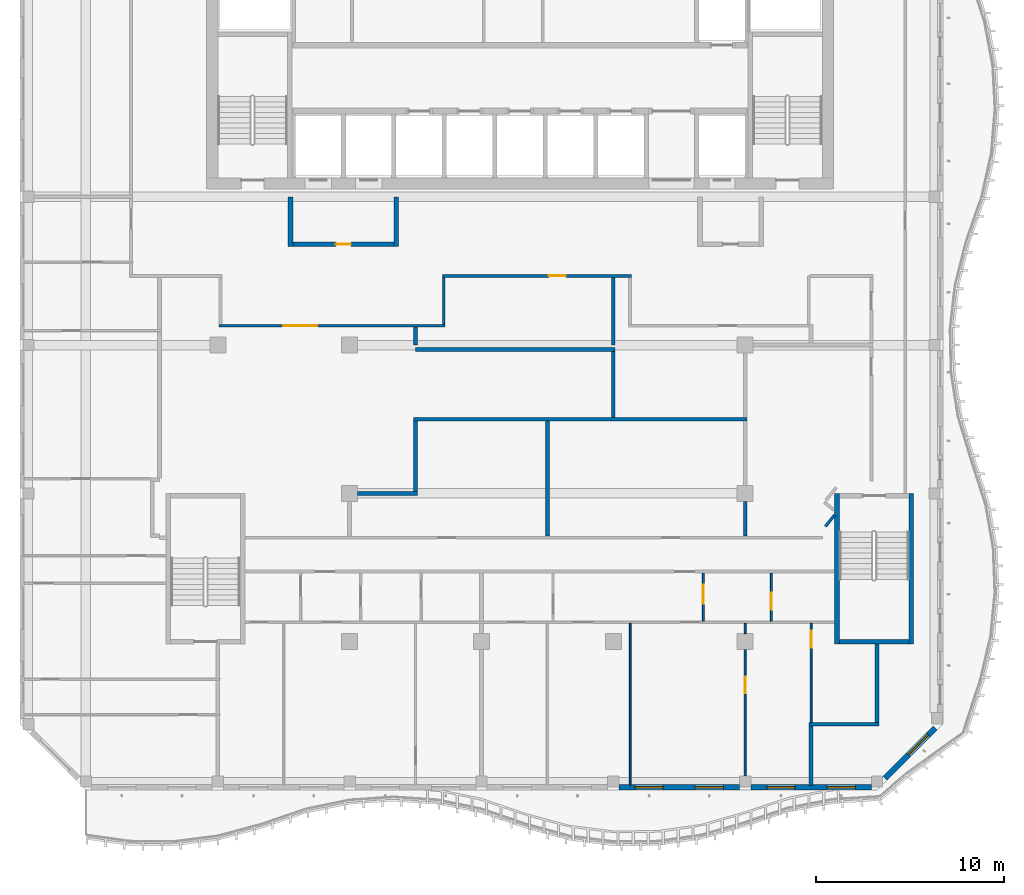
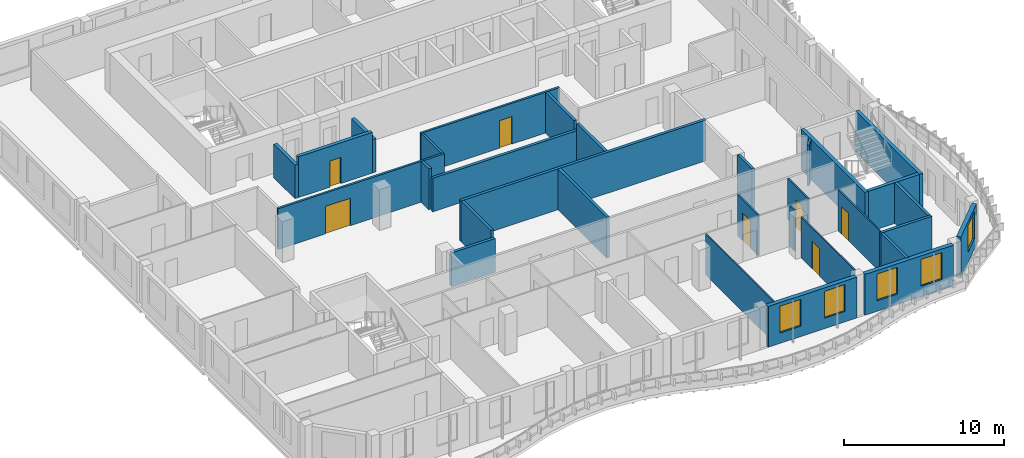
# One storey, part 4 of 17: 31 walls, 7 doors, 5 windows, 12 openings.
"""IFC4 building model written with IfcOpenShell, lengths in metres."""

from ifc_helpers import new_model, si_unit, direction, frame, frame_2d, origin, place, context, subcontext, project, spatial, rectangle, extrude, source, transform, mapped, material, layer, layer_set, type_object, element, fill, save


model = new_model("IFC4")

# Units and contexts
model_context = context("Model", 3, precision=1e-05, world=origin(), true_north=direction((0.0, 1.0)))
body_context = subcontext(model_context, "Body", "Model", "MODEL_VIEW")
ifc_project = project(units=[si_unit("LENGTHUNIT", "METRE"), si_unit("AREAUNIT", "SQUARE_METRE"), si_unit("VOLUMEUNIT", "CUBIC_METRE"), si_unit("PLANEANGLEUNIT", "RADIAN"), si_unit("MASSUNIT", "GRAM", prefix="KILO")], contexts=[model_context])

# Site, building, storey
site_placement = place(None, origin())
site = spatial("IfcSite", under=ifc_project, at=site_placement, CompositionType="ELEMENT")
building_placement = place(site_placement, origin())
building = spatial("IfcBuilding", under=site, at=building_placement, Name="Kilnfold Tower and Market Hall", CompositionType="ELEMENT")
storey_placement = place(building_placement, frame((0.0, 0.0, 298.39990234375)))
storey = spatial("IfcBuildingStorey", under=building, at=storey_placement, Name="L74", CompositionType="ELEMENT", Elevation=298.39990234375)

# Wall, opening, door
ifc_material_1 = material(Name="Gypsum board on steel studs", Category="steel")
ifc_layer_1 = layer(ifc_material_1, 0.14990234375)
ifc_layer_set_1 = layer_set([ifc_layer_1], Name="Gypsum board on steel studs")
wall_type_1 = type_object("IfcWallType", Name="WALL CORRIDOR 150", PredefinedType="PARTITIONING", material=ifc_layer_set_1)
wall_1_placement = place(storey_placement, frame((-14.93505859375, 1.14990234375, 0.0), z_axis=(0.0, 0.0, 1.0), x_axis=(1.0, 0.0, 0.0)))
wall_1 = element("IfcWall", 1, at=wall_1_placement, inside=storey, type_object=wall_type_1, Name="Partition LY45.9", PredefinedType="PARTITIONING", context=body_context, shape_type="SweptSolid", body=[
    extrude(rectangle(XDim=12.010009765625, YDim=0.14990234375, at=frame_2d((6.0048828125, 0.0))), origin(), (0.0, 0.0, 1.0), 3.1201171875),
])
opening_1_placement = place(wall_1_placement, frame((3.41796875, 0.0, 0.0)))
opening_1 = element("IfcOpeningElement", 2, at=opening_1_placement, cuts=wall_1, Name="Opening D5", PredefinedType="OPENING", context=body_context, shape_type="SweptSolid", body=[
    extrude(rectangle(XDim=1.800048828125, YDim=2.10009765625, at=frame_2d((0.89990234375, 1.050048828125))), frame((0.0, 0.0849609375, 0.0), z_axis=(0.0, -1.0, 0.0), x_axis=(1.0, 0.0, 0.0)), (0.0, 0.0, 1.0), 0.169921875),
])
ifc_material_2 = material(Name="Timber veneer door leaf in steel frame", Category="steel")
door_type_1 = type_object("IfcDoorType", Name="DOOR DOUBLE 1800 X2100", OperationType="NOTDEFINED", PredefinedType="DOOR", material=ifc_material_2)
door_1_placement = place(opening_1_placement, origin())
door_1 = element("IfcDoor", 3, at=door_1_placement, inside=storey, type_object=door_type_1, Name="Door D5", OperationType="DOUBLE_DOOR_SINGLE_SWING", OverallHeight=2.10009765625, OverallWidth=1.800048828125, PredefinedType="DOOR", context=body_context, shape_type="SweptSolid", body=[
    extrude(rectangle(XDim=1.800048828125, YDim=2.10009765625, at=frame_2d((0.89990234375, 1.050048828125))), frame((0.0, 0.02490234375, 0.0), z_axis=(0.0, -1.0, 0.0), x_axis=(1.0, 0.0, 0.0)), (0.0, 0.0, 1.0), 0.050048828125),
])
fill(opening_1, door_1)

wall_2_placement = place(storey_placement, frame((-3.074951171875, 3.800048828125, 0.0), z_axis=(0.0, 0.0, 1.0), x_axis=(1.0, 0.0, 0.0)))
wall_2 = element("IfcWall", 4, at=wall_2_placement, inside=storey, type_object=wall_type_1, Name="Partition LY45.12", PredefinedType="PARTITIONING", context=body_context, shape_type="SweptSolid", body=[
    extrude(rectangle(XDim=10.030029296875, YDim=0.14990234375, at=frame_2d((5.01513671875, 0.0))), origin(), (0.0, 0.0, 1.0), 3.1201171875),
])
opening_2_placement = place(wall_2_placement, frame((5.659912109375, 0.0, 0.0)))
opening_2 = element("IfcOpeningElement", 5, at=opening_2_placement, cuts=wall_2, Name="Opening D2", PredefinedType="OPENING", context=body_context, shape_type="SweptSolid", body=[
    extrude(rectangle(XDim=0.89990234375, YDim=2.10009765625, at=frame_2d((0.449951171875, 1.050048828125))), frame((0.0, 0.0849609375, 0.0), z_axis=(0.0, -1.0, 0.0), x_axis=(1.0, 0.0, 0.0)), (0.0, 0.0, 1.0), 0.169921875),
])
ifc_material_3 = material(Name="Timber veneer door leaf in steel frame", Category="steel")
door_type_2 = type_object("IfcDoorType", Name="DOOR ROOM 900 X2100", OperationType="NOTDEFINED", PredefinedType="DOOR", material=ifc_material_3)
door_2_placement = place(opening_2_placement, origin())
door_2 = element("IfcDoor", 6, at=door_2_placement, inside=storey, type_object=door_type_2, Name="Door D2", OperationType="SINGLE_SWING_LEFT", OverallHeight=2.10009765625, OverallWidth=0.89990234375, PredefinedType="DOOR", context=body_context, shape_type="SweptSolid", body=[
    extrude(rectangle(XDim=0.89990234375, YDim=2.10009765625, at=frame_2d((0.449951171875, 1.050048828125))), frame((0.0, 0.02490234375, 0.0), z_axis=(0.0, -1.0, 0.0), x_axis=(1.0, 0.0, 0.0)), (0.0, 0.0, 1.0), 0.050048828125),
])
fill(opening_2, door_2)

# Walls
wall_3_placement = place(storey_placement, frame((-3.0, 1.22509765625, 0.0), z_axis=(0.0, 0.0, 1.0), x_axis=(0.0, 1.0, 0.0)))
element("IfcWall", 7, at=wall_3_placement, inside=storey, type_object=wall_type_1, Name="Partition LY45.13", PredefinedType="PARTITIONING", context=body_context, shape_type="SweptSolid", body=[
    extrude(rectangle(XDim=2.5, YDim=0.14990234375, at=frame_2d((1.25, 0.0))), origin(), (0.0, 0.0, 1.0), 3.1201171875),
])
wall_4_placement = place(storey_placement, frame((17.748046875, -8.902099609375, 0.0), z_axis=(0.0, 0.0, 1.0), x_axis=(-0.630342797145, -0.776316918589, 0.0)))
element("IfcWall", 8, at=wall_4_placement, inside=storey, type_object=wall_type_1, Name="Partition LY45.17", PredefinedType="PARTITIONING", context=body_context, shape_type="SweptSolid", body=[
    extrude(rectangle(XDim=0.772705078125, YDim=0.14990234375, at=frame_2d((0.38623046875, 0.0))), origin(), (0.0, 0.0, 1.0), 3.1201171875),
])

# Wall, opening, door
ifc_material_4 = material(Name="Gypsum board on steel studs", Category="steel")
ifc_layer_2 = layer(ifc_material_4, 0.10009765625)
ifc_layer_set_2 = layer_set([ifc_layer_2], Name="Gypsum board on steel studs")
wall_type_2 = type_object("IfcWallType", Name="WALL PARTITION 100", PredefinedType="PARTITIONING", material=ifc_layer_set_2)
wall_5_placement = place(storey_placement, frame((10.780029296875, -14.550048828125, 0.0), z_axis=(0.0, 0.0, 1.0), x_axis=(0.0, 1.0, 0.0)))
wall_5 = element("IfcWall", 9, at=wall_5_placement, inside=storey, type_object=wall_type_2, Name="Partition LY45.50", PredefinedType="PARTITIONING", context=body_context, shape_type="SweptSolid", body=[
    extrude(rectangle(XDim=2.572998046875, YDim=0.10009765625, at=frame_2d((1.28662109375, 0.0))), origin(), (0.0, 0.0, 1.0), 3.1201171875),
])
opening_3_placement = place(wall_5_placement, frame((0.946044921875, 0.0, 0.0)))
opening_3 = element("IfcOpeningElement", 10, at=opening_3_placement, cuts=wall_5, Name="Opening D1", PredefinedType="OPENING", context=body_context, shape_type="SweptSolid", body=[
    extrude(rectangle(XDim=1.0, YDim=2.10009765625, at=frame_2d((0.5, 1.050048828125))), frame((0.0, 0.06005859375, 0.0), z_axis=(0.0, -1.0, 0.0), x_axis=(1.0, 0.0, 0.0)), (0.0, 0.0, 1.0), 0.1201171875),
])
ifc_material_5 = material(Name="Timber veneer door leaf in steel frame", Category="steel")
door_type_3 = type_object("IfcDoorType", Name="DOOR ENTRY 1000 X2100", OperationType="NOTDEFINED", PredefinedType="DOOR", material=ifc_material_5)
door_3_placement = place(opening_3_placement, origin())
door_3 = element("IfcDoor", 11, at=door_3_placement, inside=storey, type_object=door_type_3, Name="Door D1", OperationType="SINGLE_SWING_RIGHT", OverallHeight=2.10009765625, OverallWidth=1.0, PredefinedType="DOOR", context=body_context, shape_type="SweptSolid", body=[
    extrude(rectangle(XDim=1.0, YDim=2.10009765625, at=frame_2d((0.5, 1.050048828125))), frame((0.0, 0.02490234375, 0.0), z_axis=(0.0, -1.0, 0.0), x_axis=(1.0, 0.0, 0.0)), (0.0, 0.0, 1.0), 0.050048828125),
])
fill(opening_3, door_3)

wall_6_placement = place(storey_placement, frame((14.389892578125, -14.550048828125, 0.0), z_axis=(0.0, 0.0, 1.0), x_axis=(0.0, 1.0, 0.0)))
wall_6 = element("IfcWall", 12, at=wall_6_placement, inside=storey, type_object=wall_type_2, Name="Partition LY45.51", PredefinedType="PARTITIONING", context=body_context, shape_type="SweptSolid", body=[
    extrude(rectangle(XDim=2.572998046875, YDim=0.10009765625, at=frame_2d((1.28662109375, 0.0))), origin(), (0.0, 0.0, 1.0), 3.1201171875),
])
opening_4_placement = place(wall_6_placement, frame((0.6240234375, 0.0, 0.0)))
opening_4 = element("IfcOpeningElement", 13, at=opening_4_placement, cuts=wall_6, Name="Opening D2", PredefinedType="OPENING", context=body_context, shape_type="SweptSolid", body=[
    extrude(rectangle(XDim=0.89990234375, YDim=2.10009765625, at=frame_2d((0.449951171875, 1.050048828125))), frame((0.0, 0.06005859375, 0.0), z_axis=(0.0, -1.0, 0.0), x_axis=(1.0, 0.0, 0.0)), (0.0, 0.0, 1.0), 0.1201171875),
])
door_4_placement = place(opening_4_placement, origin())
door_4 = element("IfcDoor", 14, at=door_4_placement, inside=storey, type_object=door_type_2, Name="Door D2", OperationType="SINGLE_SWING_LEFT", OverallHeight=2.10009765625, OverallWidth=0.89990234375, PredefinedType="DOOR", context=body_context, shape_type="SweptSolid", body=[
    extrude(rectangle(XDim=0.89990234375, YDim=2.10009765625, at=frame_2d((0.449951171875, 1.050048828125))), frame((0.0, 0.02490234375, 0.0), z_axis=(0.0, -1.0, 0.0), x_axis=(1.0, 0.0, 0.0)), (0.0, 0.0, 1.0), 0.050048828125),
])
fill(opening_4, door_4)

# Walls
wall_7_placement = place(storey_placement, frame((6.89990234375, -23.25, 0.0), z_axis=(0.0, 0.0, 1.0), x_axis=(0.0, 1.0, 0.0)))
element("IfcWall", 15, at=wall_7_placement, inside=storey, type_object=wall_type_2, Name="Partition LY45.53", PredefinedType="PARTITIONING", context=body_context, shape_type="SweptSolid", body=[
    extrude(rectangle(XDim=8.597900390625, YDim=0.10009765625, at=frame_2d((4.298828125, 0.0))), origin(), (0.0, 0.0, 1.0), 3.1201171875),
])
wall_8_placement = place(storey_placement, frame((13.0, -15.199951171875, 0.0), z_axis=(0.0, 0.0, 1.0), x_axis=(0.0, 1.0, 0.0)))
element("IfcWall", 16, at=wall_8_placement, inside=storey, type_object=wall_type_2, Name="Partition LY45.54", PredefinedType="PARTITIONING", context=body_context, shape_type="SweptSolid", body=[
    extrude(rectangle(XDim=0.5478515625, YDim=0.10009765625, at=frame_2d((0.27392578125, 0.0))), origin(), (0.0, 0.0, 1.0), 3.1201171875),
])

# Wall, opening, door
wall_9_placement = place(storey_placement, frame((13.0, -22.75, 0.0), z_axis=(0.0, 0.0, 1.0), x_axis=(0.0, 1.0, 0.0)))
wall_9 = element("IfcWall", 17, at=wall_9_placement, inside=storey, type_object=wall_type_2, Name="Partition LY45.55", PredefinedType="PARTITIONING", context=body_context, shape_type="SweptSolid", body=[
    extrude(rectangle(XDim=6.699951171875, YDim=0.10009765625, at=frame_2d((3.35009765625, 0.0))), origin(), (0.0, 0.0, 1.0), 3.1201171875),
])
opening_5_placement = place(wall_9_placement, frame((4.376953125, 0.0, 0.0)))
opening_5 = element("IfcOpeningElement", 18, at=opening_5_placement, cuts=wall_9, Name="Opening D2", PredefinedType="OPENING", context=body_context, shape_type="SweptSolid", body=[
    extrude(rectangle(XDim=0.89990234375, YDim=2.10009765625, at=frame_2d((0.449951171875, 1.050048828125))), frame((0.0, 0.06005859375, 0.0), z_axis=(0.0, -1.0, 0.0), x_axis=(1.0, 0.0, 0.0)), (0.0, 0.0, 1.0), 0.1201171875),
])
door_5_placement = place(opening_5_placement, origin())
door_5 = element("IfcDoor", 19, at=door_5_placement, inside=storey, type_object=door_type_2, Name="Door D2", OperationType="SINGLE_SWING_RIGHT", OverallHeight=2.10009765625, OverallWidth=0.89990234375, PredefinedType="DOOR", context=body_context, shape_type="SweptSolid", body=[
    extrude(rectangle(XDim=0.89990234375, YDim=2.10009765625, at=frame_2d((0.449951171875, 1.050048828125))), frame((0.0, 0.02490234375, 0.0), z_axis=(0.0, -1.0, 0.0), x_axis=(1.0, 0.0, 0.0)), (0.0, 0.0, 1.0), 0.050048828125),
])
fill(opening_5, door_5)

wall_10_placement = place(storey_placement, frame((16.5, -19.909912109375, 0.0), z_axis=(0.0, 0.0, 1.0), x_axis=(0.0, 1.0, 0.0)))
wall_10 = element("IfcWall", 20, at=wall_10_placement, inside=storey, type_object=wall_type_2, Name="Partition LY45.56", PredefinedType="PARTITIONING", context=body_context, shape_type="SweptSolid", body=[
    extrude(rectangle(XDim=5.2578125, YDim=0.10009765625, at=frame_2d((2.62890625, 0.0))), origin(), (0.0, 0.0, 1.0), 3.1201171875),
])
opening_6_placement = place(wall_10_placement, frame((3.955078125, 0.0, 0.0)))
opening_6 = element("IfcOpeningElement", 21, at=opening_6_placement, cuts=wall_10, Name="Opening D2", PredefinedType="OPENING", context=body_context, shape_type="SweptSolid", body=[
    extrude(rectangle(XDim=0.89990234375, YDim=2.10009765625, at=frame_2d((0.449951171875, 1.050048828125))), frame((0.0, 0.06005859375, 0.0), z_axis=(0.0, -1.0, 0.0), x_axis=(1.0, 0.0, 0.0)), (0.0, 0.0, 1.0), 0.1201171875),
])
door_6_placement = place(opening_6_placement, origin())
door_6 = element("IfcDoor", 22, at=door_6_placement, inside=storey, type_object=door_type_2, Name="Door D2", OperationType="SINGLE_SWING_RIGHT", OverallHeight=2.10009765625, OverallWidth=0.89990234375, PredefinedType="DOOR", context=body_context, shape_type="SweptSolid", body=[
    extrude(rectangle(XDim=0.89990234375, YDim=2.10009765625, at=frame_2d((0.449951171875, 1.050048828125))), frame((0.0, 0.02490234375, 0.0), z_axis=(0.0, -1.0, 0.0), x_axis=(1.0, 0.0, 0.0)), (0.0, 0.0, 1.0), 0.050048828125),
])
fill(opening_6, door_6)

# Walls
ifc_material_6 = material(Name="Gypsum board on steel studs", Category="steel")
ifc_layer_3 = layer(ifc_material_6, 0.199951171875)
ifc_layer_set_3 = layer_set([ifc_layer_3], Name="Gypsum board on steel studs")
wall_type_3 = type_object("IfcWallType", Name="WALL PARTY 200", PredefinedType="PARTITIONING", material=ifc_layer_set_3)
wall_11_placement = place(storey_placement, frame((16.5, -23.25, 0.0), z_axis=(0.0, 0.0, 1.0), x_axis=(0.0, 1.0, 0.0)))
element("IfcWall", 23, at=wall_11_placement, inside=storey, type_object=wall_type_3, Name="Partition LY45.57", PredefinedType="PARTITIONING", context=body_context, shape_type="SweptSolid", body=[
    extrude(rectangle(XDim=3.159912109375, YDim=0.199951171875, at=frame_2d((1.580078125, 0.0))), origin(), (0.0, 0.0, 1.0), 3.1201171875),
])
wall_12_placement = place(storey_placement, frame((20.0, -19.89990234375, 0.0), z_axis=(0.0, 0.0, 1.0), x_axis=(0.0, 1.0, 0.0)))
element("IfcWall", 24, at=wall_12_placement, inside=storey, type_object=wall_type_3, Name="Partition LY45.58", PredefinedType="PARTITIONING", context=body_context, shape_type="SweptSolid", body=[
    extrude(rectangle(XDim=4.14990234375, YDim=0.199951171875, at=frame_2d((2.074951171875, 0.0))), origin(), (0.0, 0.0, 1.0), 3.1201171875),
])
wall_13_placement = place(storey_placement, frame((16.39990234375, -20.0, 0.0), z_axis=(0.0, 0.0, 1.0), x_axis=(1.0, 0.0, 0.0)))
element("IfcWall", 25, at=wall_13_placement, inside=storey, type_object=wall_type_3, Name="Partition LY45.59", PredefinedType="PARTITIONING", context=body_context, shape_type="SweptSolid", body=[
    extrude(rectangle(XDim=3.7001953125, YDim=0.199951171875, at=frame_2d((1.85009765625, 0.0))), origin(), (0.0, 0.0, 1.0), 3.1201171875),
])
wall_14_placement = place(storey_placement, frame((-4.60009765625, -3.81201171875, 0.0), z_axis=(0.0, 0.0, 1.0), x_axis=(1.0, 0.0, 0.0)))
element("IfcWall", 26, at=wall_14_placement, inside=storey, type_object=wall_type_3, Name="Partition LY45.62", PredefinedType="PARTITIONING", context=body_context, shape_type="SweptSolid", body=[
    extrude(rectangle(XDim=17.7001953125, YDim=0.199951171875, at=frame_2d((8.85009765625, 0.0))), origin(), (0.0, 0.0, 1.0), 3.1201171875),
])
wall_15_placement = place(storey_placement, frame((-4.5, -7.64990234375, 0.0), z_axis=(0.0, 0.0, 1.0), x_axis=(0.0, 1.0, 0.0)))
element("IfcWall", 27, at=wall_15_placement, inside=storey, type_object=wall_type_3, Name="Partition LY45.63", PredefinedType="PARTITIONING", context=body_context, shape_type="SweptSolid", body=[
    extrude(rectangle(XDim=3.73779296875, YDim=0.199951171875, at=frame_2d((1.868896484375, 0.0))), origin(), (0.0, 0.0, 1.0), 3.1201171875),
])
wall_16_placement = place(storey_placement, frame((-7.574951171875, -7.75, 0.0), z_axis=(0.0, 0.0, 1.0), x_axis=(1.0, 0.0, 0.0)))
element("IfcWall", 28, at=wall_16_placement, inside=storey, type_object=wall_type_3, Name="Partition LY45.64", PredefinedType="PARTITIONING", context=body_context, shape_type="SweptSolid", body=[
    extrude(rectangle(XDim=3.175048828125, YDim=0.199951171875, at=frame_2d((1.58740234375, 0.0))), origin(), (0.0, 0.0, 1.0), 2.570068359375),
])
wall_17_placement = place(storey_placement, frame((-4.5, 0.126953125, 0.0), z_axis=(0.0, 0.0, 1.0), x_axis=(0.0, 1.0, 0.0)))
element("IfcWall", 29, at=wall_17_placement, inside=storey, type_object=wall_type_3, Name="Partition LY45.66", PredefinedType="PARTITIONING", context=body_context, shape_type="SweptSolid", body=[
    extrude(rectangle(XDim=0.946044921875, YDim=0.199951171875, at=frame_2d((0.47314453125, 0.0))), origin(), (0.0, 0.0, 1.0), 3.1201171875),
])
wall_18_placement = place(storey_placement, frame((6.10009765625, -0.10888671875, 0.0), z_axis=(0.0, 0.0, 1.0), x_axis=(-1.0, 0.0, 0.0)))
element("IfcWall", 30, at=wall_18_placement, inside=storey, type_object=wall_type_3, Name="Partition LY45.67", PredefinedType="PARTITIONING", context=body_context, shape_type="SweptSolid", body=[
    extrude(rectangle(XDim=10.60205078125, YDim=0.199951171875, at=frame_2d((5.301025390625, 0.0))), origin(), (0.0, 0.0, 1.0), 2.570068359375),
])
wall_19_placement = place(storey_placement, frame((6.0, -3.7119140625, 0.0), z_axis=(0.0, 0.0, 1.0), x_axis=(0.0, 1.0, 0.0)))
element("IfcWall", 31, at=wall_19_placement, inside=storey, type_object=wall_type_3, Name="Partition LY45.68", PredefinedType="PARTITIONING", context=body_context, shape_type="SweptSolid", body=[
    extrude(rectangle(XDim=3.5029296875, YDim=0.199951171875, at=frame_2d((1.75146484375, 0.0))), origin(), (0.0, 0.0, 1.0), 3.1201171875),
])
wall_20_placement = place(storey_placement, frame((2.5, -10.02294921875, 0.0), z_axis=(0.0, 0.0, 1.0), x_axis=(0.0, 1.0, 0.0)))
element("IfcWall", 32, at=wall_20_placement, inside=storey, type_object=wall_type_3, Name="Partition LY45.69", PredefinedType="PARTITIONING", context=body_context, shape_type="SweptSolid", body=[
    extrude(rectangle(XDim=6.11083984375, YDim=0.199951171875, at=frame_2d((3.055419921875, 0.0))), origin(), (0.0, 0.0, 1.0), 3.1201171875),
])
wall_21_placement = place(storey_placement, frame((6.0, 0.135986328125, 0.0), z_axis=(0.0, 0.0, 1.0), x_axis=(0.0, 1.0, 0.0)))
element("IfcWall", 33, at=wall_21_placement, inside=storey, type_object=wall_type_3, Name="Partition LY45.70", PredefinedType="PARTITIONING", context=body_context, shape_type="SweptSolid", body=[
    extrude(rectangle(XDim=3.5869140625, YDim=0.199951171875, at=frame_2d((1.79345703125, 0.0))), origin(), (0.0, 0.0, 1.0), 3.1201171875),
])
wall_22_placement = place(storey_placement, frame((13.0, -10.02294921875, 0.0), z_axis=(0.0, 0.0, 1.0), x_axis=(0.0, 1.0, 0.0)))
element("IfcWall", 34, at=wall_22_placement, inside=storey, type_object=wall_type_3, Name="Partition LY45.72", PredefinedType="PARTITIONING", context=body_context, shape_type="SweptSolid", body=[
    extrude(rectangle(XDim=1.847900390625, YDim=0.199951171875, at=frame_2d((0.923828125, 0.0))), origin(), (0.0, 0.0, 1.0), 3.1201171875),
])
ifc_material_7 = material(Name="Concrete C50", Category="concrete")
ifc_layer_4 = layer(ifc_material_7, 0.25)
ifc_layer_set_4 = layer_set([ifc_layer_4], Name="Concrete C50")
wall_type_4 = type_object("IfcWallType", Name="CORE WALL 250 C50", PredefinedType="SHEAR", material=ifc_layer_set_4)
shared_shape_1 = source(origin(), body_context, "Body", "SweptSolid", [
    extrude(rectangle(XDim=3.699951171875, YDim=0.25, at=frame_2d((1.85009765625, 0.0))), origin(), (0.0, 0.0, 1.0), 3.1201171875),
])
wall_23_placement = place(storey_placement, frame((18.0, -15.625, 0.0), z_axis=(0.0, 0.0, 1.0), x_axis=(1.0, 0.0, 0.0)))
element("IfcWall", 35, at=wall_23_placement, inside=storey, type_object=wall_type_4, Name="Stair enclosure ST4", PredefinedType="SHEAR", context=body_context, shape_type="MappedRepresentation", body=[
    mapped(shared_shape_1, transform((0.0, 0.0, 0.0))),
])
shared_shape_2 = source(origin(), body_context, "Body", "SweptSolid", [
    extrude(rectangle(XDim=8.0, YDim=0.25, at=frame_2d((4.0, 0.0))), origin(), (0.0, 0.0, 1.0), 3.1201171875),
])
for number, where, z_axis, x_axis, name in (
    (36, (17.875, -15.75, 0.0), (0.0, 0.0, 1.0), (0.0, 1.0, 0.0), "Stair enclosure ST4"),
    (37, (21.824951171875, -15.75, 0.0), (0.0, 0.0, 1.0), (0.0, 1.0, 0.0), "Stair enclosure ST4"),
):
    element("IfcWall", number, at=place(storey_placement, frame(where, z_axis=z_axis, x_axis=x_axis)), inside=storey, type_object=wall_type_4, Name=name, PredefinedType="SHEAR", context=body_context, shape_type="MappedRepresentation", body=[
        mapped(shared_shape_2, transform((0.0, 0.0, 0.0))),
    ])

# Wall, openings, windows
ifc_material_8 = material(Name="Precast concrete C50/60", Category="concrete")
ifc_layer_5 = layer(ifc_material_8, 0.300048828125)
ifc_layer_set_5 = layer_set([ifc_layer_5], Name="Precast concrete C50/60")
wall_type_5 = type_object("IfcWallType", Name="PRECAST WALL 300", PredefinedType="SOLIDWALL", material=ifc_layer_set_5)
shared_shape_3 = source(origin(), body_context, "Body", "SweptSolid", [
    extrude(rectangle(XDim=6.39990234375, YDim=0.300048828125, at=frame_2d((3.199951171875, 0.0))), origin(), (0.0, 0.0, 1.0), 3.1201171875),
])
wall_24_placement = place(storey_placement, frame((6.300048828125, -23.35009765625, 0.0), z_axis=(0.0, 0.0, 1.0), x_axis=(1.0, 0.0, 0.0)))
wall_24 = element("IfcWall", 38, at=wall_24_placement, inside=storey, type_object=wall_type_5, Name="External wall L74 S", PredefinedType="SOLIDWALL", context=body_context, shape_type="MappedRepresentation", body=[
    mapped(shared_shape_3, transform((0.0, 0.0, 0.0))),
])
opening_7_placement = place(wall_24_placement, frame((0.85009765625, 0.0, 0.800048828125)))
opening_7 = element("IfcOpeningElement", 39, at=opening_7_placement, cuts=wall_24, Name="Opening W5", PredefinedType="OPENING", context=body_context, shape_type="SweptSolid", body=[
    extrude(rectangle(XDim=1.5, YDim=2.050048828125, at=frame_2d((0.75, 1.02490234375))), frame((0.0, 0.16015625, 0.0), z_axis=(0.0, -1.0, 0.0), x_axis=(1.0, 0.0, 0.0)), (0.0, 0.0, 1.0), 0.320068359375),
])
opening_8_placement = place(wall_24_placement, frame((4.050048828125, 0.0, 0.800048828125)))
opening_8 = element("IfcOpeningElement", 40, at=opening_8_placement, cuts=wall_24, Name="Opening W5", PredefinedType="OPENING", context=body_context, shape_type="SweptSolid", body=[
    extrude(rectangle(XDim=1.5, YDim=2.050048828125, at=frame_2d((0.75, 1.02490234375))), frame((0.0, 0.16015625, 0.0), z_axis=(0.0, -1.0, 0.0), x_axis=(1.0, 0.0, 0.0)), (0.0, 0.0, 1.0), 0.320068359375),
])
ifc_material_9 = material(Name="Aluminium frame and double glazing", Category="aluminium")
window_type = type_object("IfcWindowType", Name="WINDOW W5 1500X2050", PartitioningType="SINGLE_PANEL", PredefinedType="WINDOW", material=ifc_material_9)
window_1_placement = place(opening_7_placement, origin())
window_1 = element("IfcWindow", 41, at=window_1_placement, inside=storey, type_object=window_type, Name="Window W5 L74 S-1", OverallHeight=2.050048828125, OverallWidth=1.5, PartitioningType="SINGLE_PANEL", PredefinedType="WINDOW", context=body_context, shape_type="SweptSolid", body=[
    extrude(rectangle(XDim=1.5, YDim=2.050048828125, at=frame_2d((0.75, 1.02490234375))), frame((0.0, 0.030029296875, 0.0), z_axis=(0.0, -1.0, 0.0), x_axis=(1.0, 0.0, 0.0)), (0.0, 0.0, 1.0), 0.06005859375),
])
fill(opening_7, window_1)
window_2_placement = place(opening_8_placement, origin())
window_2 = element("IfcWindow", 42, at=window_2_placement, inside=storey, type_object=window_type, Name="Window W5 L74 S-2", OverallHeight=2.050048828125, OverallWidth=1.5, PartitioningType="SINGLE_PANEL", PredefinedType="WINDOW", context=body_context, shape_type="SweptSolid", body=[
    extrude(rectangle(XDim=1.5, YDim=2.050048828125, at=frame_2d((0.75, 1.02490234375))), frame((0.0, 0.030029296875, 0.0), z_axis=(0.0, -1.0, 0.0), x_axis=(1.0, 0.0, 0.0)), (0.0, 0.0, 1.0), 0.06005859375),
])
fill(opening_8, window_2)

wall_25_placement = place(storey_placement, frame((13.300048828125, -23.35009765625, 0.0), z_axis=(0.0, 0.0, 1.0), x_axis=(1.0, 0.0, 0.0)))
wall_25 = element("IfcWall", 43, at=wall_25_placement, inside=storey, type_object=wall_type_5, Name="External wall L74 S", PredefinedType="SOLIDWALL", context=body_context, shape_type="MappedRepresentation", body=[
    mapped(shared_shape_3, transform((0.0, 0.0, 0.0))),
])
opening_9_placement = place(wall_25_placement, frame((0.85009765625, 0.0, 0.800048828125)))
opening_9 = element("IfcOpeningElement", 44, at=opening_9_placement, cuts=wall_25, Name="Opening W5", PredefinedType="OPENING", context=body_context, shape_type="SweptSolid", body=[
    extrude(rectangle(XDim=1.5, YDim=2.050048828125, at=frame_2d((0.75, 1.02490234375))), frame((0.0, 0.16015625, 0.0), z_axis=(0.0, -1.0, 0.0), x_axis=(1.0, 0.0, 0.0)), (0.0, 0.0, 1.0), 0.320068359375),
])
opening_10_placement = place(wall_25_placement, frame((4.050048828125, 0.0, 0.800048828125)))
opening_10 = element("IfcOpeningElement", 45, at=opening_10_placement, cuts=wall_25, Name="Opening W5", PredefinedType="OPENING", context=body_context, shape_type="SweptSolid", body=[
    extrude(rectangle(XDim=1.5, YDim=2.050048828125, at=frame_2d((0.75, 1.02490234375))), frame((0.0, 0.16015625, 0.0), z_axis=(0.0, -1.0, 0.0), x_axis=(1.0, 0.0, 0.0)), (0.0, 0.0, 1.0), 0.320068359375),
])
window_3_placement = place(opening_9_placement, origin())
window_3 = element("IfcWindow", 46, at=window_3_placement, inside=storey, type_object=window_type, Name="Window W5 L74 S-1", OverallHeight=2.050048828125, OverallWidth=1.5, PartitioningType="SINGLE_PANEL", PredefinedType="WINDOW", context=body_context, shape_type="SweptSolid", body=[
    extrude(rectangle(XDim=1.5, YDim=2.050048828125, at=frame_2d((0.75, 1.02490234375))), frame((0.0, 0.030029296875, 0.0), z_axis=(0.0, -1.0, 0.0), x_axis=(1.0, 0.0, 0.0)), (0.0, 0.0, 1.0), 0.06005859375),
])
fill(opening_9, window_3)
window_4_placement = place(opening_10_placement, origin())
window_4 = element("IfcWindow", 47, at=window_4_placement, inside=storey, type_object=window_type, Name="Window W5 L74 S-2", OverallHeight=2.050048828125, OverallWidth=1.5, PartitioningType="SINGLE_PANEL", PredefinedType="WINDOW", context=body_context, shape_type="SweptSolid", body=[
    extrude(rectangle(XDim=1.5, YDim=2.050048828125, at=frame_2d((0.75, 1.02490234375))), frame((0.0, 0.030029296875, 0.0), z_axis=(0.0, -1.0, 0.0), x_axis=(1.0, 0.0, 0.0)), (0.0, 0.0, 1.0), 0.06005859375),
])
fill(opening_10, window_4)

# Wall, opening, window
shared_shape_4 = source(origin(), body_context, "Body", "SweptSolid", [
    extrude(rectangle(XDim=3.783203125, YDim=0.300048828125, at=frame_2d((1.8916015625, 0.0))), origin(), (0.0, 0.0, 1.0), 3.1201171875),
])
wall_26_placement = place(storey_placement, frame((20.4189453125, -22.868896484375, 0.0), z_axis=(0.0, 0.0, 1.0), x_axis=(0.707106781187, 0.707106781187, 0.0)))
wall_26 = element("IfcWall", 48, at=wall_26_placement, inside=storey, type_object=wall_type_5, Name="External wall L74 SE", PredefinedType="SOLIDWALL", context=body_context, shape_type="MappedRepresentation", body=[
    mapped(shared_shape_4, transform((0.0, 0.0, 0.0))),
])
opening_11_placement = place(wall_26_placement, frame((1.75, 0.0, 0.800048828125)))
opening_11 = element("IfcOpeningElement", 49, at=opening_11_placement, cuts=wall_26, Name="Opening W5", PredefinedType="OPENING", context=body_context, shape_type="SweptSolid", body=[
    extrude(rectangle(XDim=1.5, YDim=2.050048828125, at=frame_2d((0.75, 1.02490234375))), frame((0.0, 0.16015625, 0.0), z_axis=(0.0, -1.0, 0.0), x_axis=(1.0, 0.0, 0.0)), (0.0, 0.0, 1.0), 0.320068359375),
])
window_5_placement = place(opening_11_placement, origin())
window_5 = element("IfcWindow", 50, at=window_5_placement, inside=storey, type_object=window_type, Name="Window W5 L74 SE-1", OverallHeight=2.050048828125, OverallWidth=1.5, PartitioningType="SINGLE_PANEL", PredefinedType="WINDOW", context=body_context, shape_type="SweptSolid", body=[
    extrude(rectangle(XDim=1.5, YDim=2.050048828125, at=frame_2d((0.75, 1.02490234375))), frame((0.0, 0.030029296875, 0.0), z_axis=(0.0, -1.0, 0.0), x_axis=(1.0, 0.0, 0.0)), (0.0, 0.0, 1.0), 0.06005859375),
])
fill(opening_11, window_5)

# Wall, opening, door
ifc_material_10 = material(Name="Gypsum shaft wall system")
ifc_layer_6 = layer(ifc_material_10, 0.25)
ifc_layer_set_6 = layer_set([ifc_layer_6], Name="Gypsum shaft wall system")
wall_type_6 = type_object("IfcWallType", Name="LOBBY WALL 250", PredefinedType="PARTITIONING", material=ifc_layer_set_6)
shared_shape_5 = source(origin(), body_context, "Body", "SweptSolid", [
    extrude(rectangle(XDim=5.360107421875, YDim=0.25, at=frame_2d((2.68017578125, 0.0))), origin(), (0.0, 0.0, 1.0), 3.1201171875),
])
wall_27_placement = place(storey_placement, frame((-11.010009765625, 5.47509765625, 0.0), z_axis=(0.0, 0.0, 1.0), x_axis=(1.0, 0.0, 0.0)))
wall_27 = element("IfcWall", 51, at=wall_27_placement, inside=storey, type_object=wall_type_6, Name="Firefighting lobby wall", PredefinedType="PARTITIONING", context=body_context, shape_type="MappedRepresentation", body=[
    mapped(shared_shape_5, transform((0.0, 0.0, 0.0))),
])
opening_12_placement = place(wall_27_placement, frame((2.280029296875, 0.0, 0.0)))
opening_12 = element("IfcOpeningElement", 52, at=opening_12_placement, cuts=wall_27, Name="Opening VD1", PredefinedType="OPENING", context=body_context, shape_type="SweptSolid", body=[
    extrude(rectangle(XDim=0.800048828125, YDim=2.0, at=frame_2d((0.39990234375, 1.0))), frame((0.0, 0.135009765625, 0.0), z_axis=(0.0, -1.0, 0.0), x_axis=(1.0, 0.0, 0.0)), (0.0, 0.0, 1.0), 0.27001953125),
])
ifc_material_11 = material(Name="Steel door set with fire-resisting leaf", Category="steel")
door_type_4 = type_object("IfcDoorType", Name="FIREFIGHTING LOBBY DOOR 800X2000", OperationType="NOTDEFINED", PredefinedType="DOOR", material=ifc_material_11)
door_7_placement = place(opening_12_placement, origin())
door_7 = element("IfcDoor", 53, at=door_7_placement, inside=storey, type_object=door_type_4, Name="Firefighting lobby door", OperationType="SINGLE_SWING_LEFT", OverallHeight=2.0, OverallWidth=0.800048828125, PredefinedType="DOOR", context=body_context, shape_type="SweptSolid", body=[
    extrude(rectangle(XDim=0.800048828125, YDim=2.0, at=frame_2d((0.39990234375, 1.0))), frame((0.0, 0.02490234375, 0.0), z_axis=(0.0, -1.0, 0.0), x_axis=(1.0, 0.0, 0.0)), (0.0, 0.0, 1.0), 0.050048828125),
])
fill(opening_12, door_7)

# Walls
shared_shape_6 = source(origin(), body_context, "Body", "SweptSolid", [
    extrude(rectangle(XDim=2.64990234375, YDim=0.25, at=frame_2d((1.324951171875, 0.0))), origin(), (0.0, 0.0, 1.0), 2.570068359375),
])
for number, where, z_axis, x_axis, name in (
    (54, (-11.135009765625, 5.35009765625, 0.0), (0.0, 0.0, 1.0), (0.0, 1.0, 0.0), "Firefighting lobby wall"),
    (55, (-5.52490234375, 5.35009765625, 0.0), (0.0, 0.0, 1.0), (0.0, 1.0, 0.0), "Firefighting lobby wall"),
):
    element("IfcWall", number, at=place(storey_placement, frame(where, z_axis=z_axis, x_axis=x_axis)), inside=storey, type_object=wall_type_6, Name=name, PredefinedType="PARTITIONING", context=body_context, shape_type="MappedRepresentation", body=[
        mapped(shared_shape_6, transform((0.0, 0.0, 0.0))),
    ])

save(model, "model.ifc")
